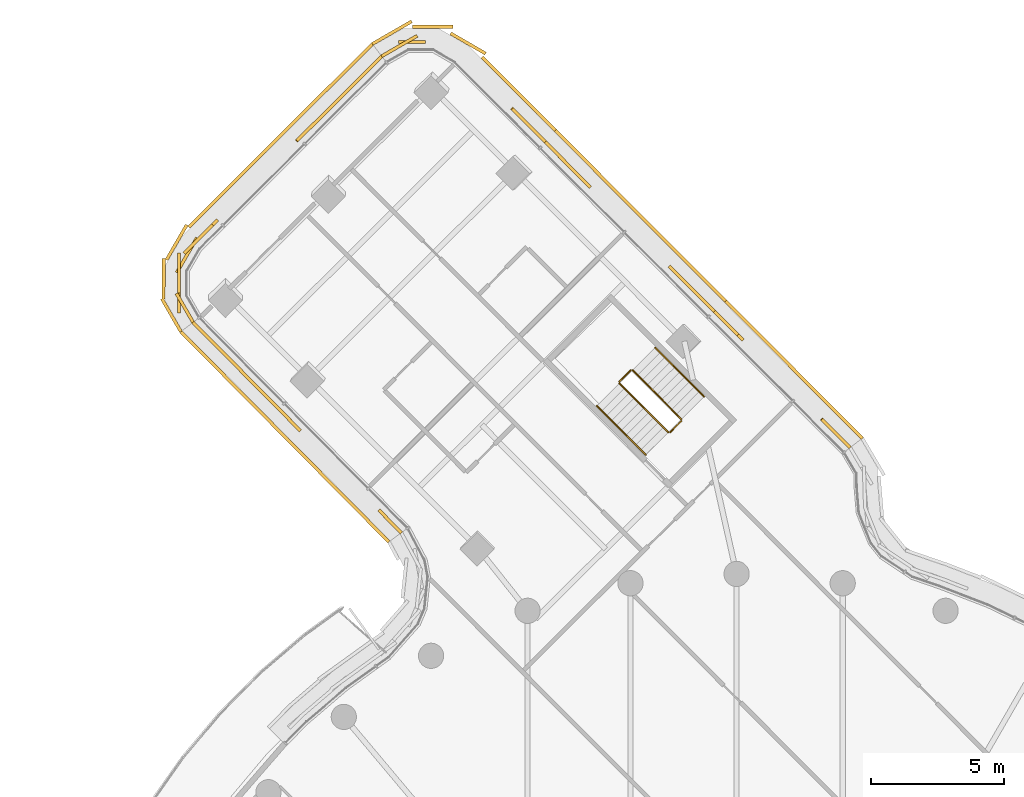
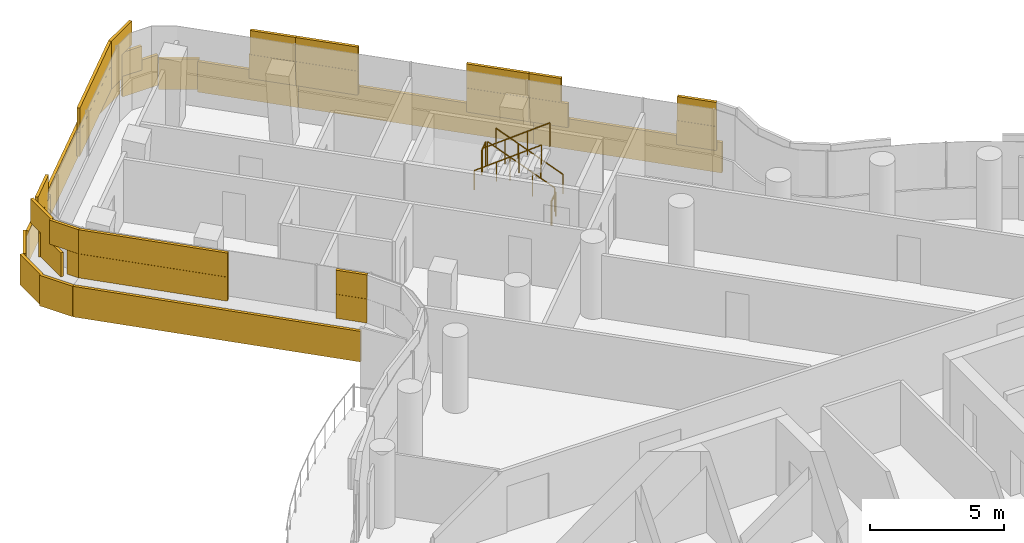
# One storey, part 29 of 31: 6 railings, 5 coverings.
"""IFC4 building model written with IfcOpenShell, lengths in metres."""

from ifc_helpers import new_model, si_unit, direction, frame, origin, origin_2d, place, context, subcontext, project, spatial, rectangle, circle, extrude, material, layer, layer_set, type_object, element, save


model = new_model("IFC4")

# Units and contexts
model_context = context("Model", 3, precision=1e-05, world=origin(), true_north=direction((0.0, 1.0)))
body_context = subcontext(model_context, "Body", "Model", "MODEL_VIEW")
ifc_project = project(units=[si_unit("LENGTHUNIT", "METRE"), si_unit("AREAUNIT", "SQUARE_METRE"), si_unit("VOLUMEUNIT", "CUBIC_METRE"), si_unit("PLANEANGLEUNIT", "RADIAN"), si_unit("MASSUNIT", "GRAM", prefix="KILO")], contexts=[model_context])

# Site, building, storey
site_placement = place(None, origin())
site = spatial("IfcSite", under=ifc_project, at=site_placement, CompositionType="ELEMENT")
building_placement = place(site_placement, origin())
building = spatial("IfcBuilding", under=site, at=building_placement, Name="Tamarind Cross Interchange Tower", CompositionType="ELEMENT")
storey_placement = place(building_placement, frame((0.0, 0.0, 196.89990234375)))
storey = spatial("IfcBuildingStorey", under=building, at=storey_placement, Name="L49", CompositionType="ELEMENT", Elevation=196.89990234375)

# Railings
ifc_material_1 = material(Name="Stair guard")
railing_type_1 = type_object("IfcRailingType", Name="Stair guard", PredefinedType="GUARDRAIL", material=ifc_material_1)
railing_1_placement = place(storey_placement, frame((-2.0771484375, 28.826171875, 0.163818359375)))
element("IfcRailing", 1, at=railing_1_placement, inside=storey, type_object=railing_type_1, Name="L49 ST4 stair guard 1", PredefinedType="GUARDRAIL", context=body_context, shape_type="SweptSolid", body=[
    extrude(circle(Radius=0.02392578125, at=origin_2d()), frame((0.0, 0.0, 1.076171875), z_axis=(-0.59770750568, 0.599217470128, 0.532620090822), x_axis=(-0.707998258763, -0.70621417827, 0.0)), (0.0, 0.0, 1.0), 3.072021484375),
    extrude(circle(Radius=0.02099609375, at=origin_2d()), origin(), (0.0, 0.0, 1.0), 1.052001953125),
    extrude(circle(Radius=0.02099609375, at=origin_2d()), frame((-0.612060546875, 0.613525390625, 0.54541015625)), (0.0, 0.0, 1.0), 1.052001953125),
    extrude(circle(Radius=0.02099609375, at=origin_2d()), frame((-1.22412109375, 1.227294921875, 1.0908203125)), (0.0, 0.0, 1.0), 1.052001953125),
    extrude(circle(Radius=0.02099609375, at=origin_2d()), frame((-1.836181640625, 1.8408203125, 1.63623046875)), (0.0, 0.0, 1.0), 1.052001953125),
])
railing_2_placement = place(storey_placement, frame((-3.984130859375, 30.667236328125, 1.800048828125)))
element("IfcRailing", 2, at=railing_2_placement, inside=storey, type_object=railing_type_1, Name="L49 ST4 stair guard 2", PredefinedType="GUARDRAIL", context=body_context, shape_type="SweptSolid", body=[
    extrude(circle(Radius=0.02392578125, at=origin_2d()), frame((0.0, 0.0, 1.076171875), z_axis=(-0.70792001417, -0.706292611839, 0.0), x_axis=(0.706292611839, -0.70792001417, 0.0)), (0.0, 0.0, 1.0), 0.60009765625),
    extrude(circle(Radius=0.02099609375, at=origin_2d()), origin(), (0.0, 0.0, 1.0), 1.052001953125),
    extrude(circle(Radius=0.02099609375, at=origin_2d()), frame((-0.4248046875, -0.423828125, 0.0)), (0.0, 0.0, 1.0), 1.052001953125),
])
railing_3_placement = place(storey_placement, frame((-4.408935546875, 30.1728515625, 1.963623046875)))
element("IfcRailing", 3, at=railing_3_placement, inside=storey, type_object=railing_type_1, Name="L49 ST4 stair guard 3", PredefinedType="GUARDRAIL", context=body_context, shape_type="SweptSolid", body=[
    extrude(circle(Radius=0.02392578125, at=origin_2d()), frame((0.0, 0.0, 1.076171875), z_axis=(0.597682205466, -0.599192105999, 0.532677014126), x_axis=(0.707998258763, 0.70621417827, 0.0)), (0.0, 0.0, 1.0), 3.072265625),
    extrude(circle(Radius=0.02099609375, at=origin_2d()), origin(), (0.0, 0.0, 1.0), 1.052001953125),
    extrude(circle(Radius=0.02099609375, at=origin_2d()), frame((0.612060546875, -0.613525390625, 0.54541015625)), (0.0, 0.0, 1.0), 1.052001953125),
    extrude(circle(Radius=0.02099609375, at=origin_2d()), frame((1.22412109375, -1.227294921875, 1.091064453125)), (0.0, 0.0, 1.0), 1.052001953125),
    extrude(circle(Radius=0.02099609375, at=origin_2d()), frame((1.836181640625, -1.8408203125, 1.636474609375)), (0.0, 0.0, 1.0), 1.052001953125),
])
railing_4_placement = place(storey_placement, frame((-2.077392578125, 28.755615234375, 0.0)))
element("IfcRailing", 4, at=railing_4_placement, inside=storey, type_object=railing_type_1, Name="L49 ST4 stair guard 4", PredefinedType="GUARDRAIL", context=body_context, shape_type="SweptSolid", body=[
    extrude(circle(Radius=0.02392578125, at=origin_2d()), frame((0.0, 0.0, 1.076171875), z_axis=(-0.70792001417, -0.706292611839, 0.0), x_axis=(0.706292611839, -0.70792001417, 0.0)), (0.0, 0.0, 1.0), 0.60009765625),
    extrude(circle(Radius=0.02099609375, at=origin_2d()), origin(), (0.0, 0.0, 1.0), 1.052001953125),
    extrude(circle(Radius=0.02099609375, at=origin_2d()), frame((-0.4248046875, -0.423828125, 0.0)), (0.0, 0.0, 1.0), 1.052001953125),
])
ifc_material_2 = material(Name="Stair handrail")
railing_type_2 = type_object("IfcRailingType", Name="Stair handrail", PredefinedType="HANDRAIL", material=ifc_material_2)
railing_5_placement = place(storey_placement, frame((-1.2275390625, 29.673583984375, 0.163818359375)))
element("IfcRailing", 5, at=railing_5_placement, inside=storey, type_object=railing_type_2, Name="L49 ST4 stair handrail 1", PredefinedType="HANDRAIL", context=body_context, shape_type="SweptSolid", body=[
    extrude(circle(Radius=0.02392578125, at=origin_2d()), frame((0.0, 0.0, 0.8759765625), z_axis=(-0.597679042458, 0.599268403028, 0.532594727104), x_axis=(-0.708045085123, -0.706167230501, 0.0)), (0.0, 0.0, 1.0), 3.072265625),
    extrude(circle(Radius=0.02099609375, at=origin_2d()), origin(), (0.0, 0.0, 1.0), 0.851806640625),
    extrude(circle(Radius=0.02099609375, at=origin_2d()), frame((-0.612060546875, 0.61376953125, 0.54541015625)), (0.0, 0.0, 1.0), 0.851806640625),
    extrude(circle(Radius=0.02099609375, at=origin_2d()), frame((-1.22412109375, 1.227294921875, 1.0908203125)), (0.0, 0.0, 1.0), 0.851806640625),
    extrude(circle(Radius=0.02099609375, at=origin_2d()), frame((-1.836181640625, 1.841064453125, 1.63623046875)), (0.0, 0.0, 1.0), 0.851806640625),
])
railing_6_placement = place(storey_placement, frame((-5.258544921875, 29.3251953125, 1.963623046875)))
element("IfcRailing", 6, at=railing_6_placement, inside=storey, type_object=railing_type_2, Name="L49 ST4 stair handrail 2", PredefinedType="HANDRAIL", context=body_context, shape_type="SweptSolid", body=[
    extrude(circle(Radius=0.02392578125, at=origin_2d()), frame((0.0, 0.0, 0.8759765625), z_axis=(0.597682205466, -0.599192105999, 0.532677014126), x_axis=(0.707998258763, 0.70621417827, 0.0)), (0.0, 0.0, 1.0), 3.072265625),
    extrude(circle(Radius=0.02099609375, at=origin_2d()), origin(), (0.0, 0.0, 1.0), 0.851806640625),
    extrude(circle(Radius=0.02099609375, at=origin_2d()), frame((0.612060546875, -0.613525390625, 0.54541015625)), (0.0, 0.0, 1.0), 0.851806640625),
    extrude(circle(Radius=0.02099609375, at=origin_2d()), frame((1.22412109375, -1.227294921875, 1.091064453125)), (0.0, 0.0, 1.0), 0.851806640625),
    extrude(circle(Radius=0.02099609375, at=origin_2d()), frame((1.836181640625, -1.8408203125, 1.636474609375)), (0.0, 0.0, 1.0), 0.851806640625),
])

# Coverings
ifc_material_3 = material(Name="Terracotta", Category="masonry")
ifc_layer = layer(ifc_material_3, 0.1201171875)
ifc_layer_set = layer_set([ifc_layer], Name="Terracotta")
covering_type = type_object("IfcCoveringType", Name="Terracotta baguette screen unit", PredefinedType="MOLDING", material=ifc_layer_set)
covering_1_placement = place(storey_placement, origin())
element("IfcCovering", 7, at=covering_1_placement, inside=storey, type_object=covering_type, Name="SCR-L49-03-00", PredefinedType="MOLDING", context=body_context, shape_type="SweptSolid", body=[
    extrude(rectangle(XDim=0.760009765625, YDim=0.1201171875, at=origin_2d()), frame((4.009033203125, 28.020263671875, 1.404296875), z_axis=(0.0, 0.0, 1.0), x_axis=(-0.706197875304, 0.708014520272, 0.0)), (0.0, 0.0, 1.0), 1.092041015625),
    extrude(rectangle(XDim=0.7802734375, YDim=0.1201171875, at=origin_2d()), frame((3.472412109375, 28.558349609375, 1.404296875), z_axis=(0.0, 0.0, 1.0), x_axis=(-0.706197875304, 0.708014520272, 0.0)), (0.0, 0.0, 1.0), 1.092041015625),
    extrude(rectangle(XDim=1.039794921875, YDim=0.1201171875, at=origin_2d()), frame((-0.129150390625, 32.169189453125, 1.404296875), z_axis=(0.0, 0.0, 1.0), x_axis=(-0.706197875304, 0.708014520272, 0.0)), (0.0, 0.0, 1.0), 1.092041015625),
    extrude(rectangle(XDim=0.50048828125, YDim=0.1201171875, at=origin_2d()), frame((-0.666015625, 32.70751953125, 1.404296875), z_axis=(0.0, 0.0, 1.0), x_axis=(-0.706197875304, 0.708014520272, 0.0)), (0.0, 0.0, 1.0), 1.092041015625),
    extrude(rectangle(XDim=1.510009765625, YDim=0.1201171875, at=origin_2d()), frame((3.744384765625, 28.28564453125, 2.50390625), z_axis=(0.0, 0.0, 1.0), x_axis=(-0.706197875304, 0.708014520272, 0.0)), (0.0, 0.0, 1.0), 1.092041015625),
    extrude(rectangle(XDim=1.25048828125, YDim=0.1201171875, at=origin_2d()), frame((-0.401123046875, 32.44189453125, 2.50390625), z_axis=(0.0, 0.0, 1.0), x_axis=(-0.706197875304, 0.708014520272, 0.0)), (0.0, 0.0, 1.0), 1.092041015625),
    extrude(rectangle(XDim=0.760009765625, YDim=0.1201171875, at=origin_2d()), frame((4.46337890625, 28.377685546875, 0.004150390625), z_axis=(0.0, 0.0, 1.0), x_axis=(-0.706197875304, 0.708014520272, 0.0)), (0.0, 0.0, 1.0), 1.39208984375),
    extrude(rectangle(XDim=1.52001953125, YDim=0.1201171875, at=origin_2d()), frame((3.67236328125, 29.170654296875, 0.004150390625), z_axis=(0.0, 0.0, 1.0), x_axis=(-0.706197875304, 0.708014520272, 0.0)), (0.0, 0.0, 1.0), 1.39208984375),
    extrude(rectangle(XDim=1.52001953125, YDim=0.1201171875, at=origin_2d()), frame((2.613037109375, 30.232666015625, 0.004150390625), z_axis=(0.0, 0.0, 1.0), x_axis=(-0.706197875304, 0.708014520272, 0.0)), (0.0, 0.0, 1.0), 1.39208984375),
    extrude(rectangle(XDim=1.52001953125, YDim=0.1201171875, at=origin_2d()), frame((1.5537109375, 31.294677734375, 0.004150390625), z_axis=(0.0, 0.0, 1.0), x_axis=(-0.706197875304, 0.708014520272, 0.0)), (0.0, 0.0, 1.0), 1.39208984375),
    extrude(rectangle(XDim=1.52001953125, YDim=0.1201171875, at=origin_2d()), frame((0.49462890625, 32.356689453125, 0.004150390625), z_axis=(0.0, 0.0, 1.0), x_axis=(-0.706197875304, 0.708014520272, 0.0)), (0.0, 0.0, 1.0), 1.39208984375),
    extrude(rectangle(XDim=0.552001953125, YDim=0.1201171875, at=origin_2d()), frame((-0.222900390625, 33.076171875, 0.004150390625), z_axis=(0.0, 0.0, 1.0), x_axis=(-0.706197875304, 0.708014520272, 0.0)), (0.0, 0.0, 1.0), 1.39208984375),
])
covering_2_placement = place(storey_placement, origin())
element("IfcCovering", 8, at=covering_2_placement, inside=storey, type_object=covering_type, Name="SCR-L49-03-01", PredefinedType="MOLDING", context=body_context, shape_type="SweptSolid", body=[
    extrude(rectangle(XDim=1.01953125, YDim=0.1201171875, at=origin_2d()), frame((-1.19580078125, 33.238525390625, 1.404296875), z_axis=(0.0, 0.0, 1.0), x_axis=(-0.706197875304, 0.708014520272, 0.0)), (0.0, 0.0, 1.0), 1.092041015625),
    extrude(rectangle(XDim=1.405517578125, YDim=0.1201171875, at=origin_2d()), frame((-2.044921875, 34.08984375, 1.404296875), z_axis=(0.0, 0.0, 1.0), x_axis=(-0.706197875304, 0.708014520272, 0.0)), (0.0, 0.0, 1.0), 1.092041015625),
    extrude(rectangle(XDim=0.41455078125, YDim=0.1201171875, at=origin_2d()), frame((-5.646484375, 37.70068359375, 1.404296875), z_axis=(0.0, 0.0, 1.0), x_axis=(-0.706197875304, 0.708014520272, 0.0)), (0.0, 0.0, 1.0), 1.092041015625),
    extrude(rectangle(XDim=1.52001953125, YDim=0.1201171875, at=origin_2d()), frame((-6.319091796875, 38.375, 1.404296875), z_axis=(0.0, 0.0, 1.0), x_axis=(-0.706197875304, 0.708014520272, 0.0)), (0.0, 0.0, 1.0), 1.092041015625),
    extrude(rectangle(XDim=0.510498046875, YDim=0.1201171875, at=origin_2d()), frame((-7.025390625, 39.083251953125, 1.404296875), z_axis=(0.0, 0.0, 1.0), x_axis=(-0.706197875304, 0.708014520272, 0.0)), (0.0, 0.0, 1.0), 1.092041015625),
    extrude(rectangle(XDim=0.26953125, YDim=0.1201171875, at=origin_2d()), frame((-0.930908203125, 32.972900390625, 2.50390625), z_axis=(0.0, 0.0, 1.0), x_axis=(-0.706197875304, 0.708014520272, 0.0)), (0.0, 0.0, 1.0), 1.092041015625),
    extrude(rectangle(XDim=1.52001953125, YDim=0.1201171875, at=origin_2d()), frame((-1.55224609375, 33.595947265625, 2.50390625), z_axis=(0.0, 0.0, 1.0), x_axis=(-0.706197875304, 0.708014520272, 0.0)), (0.0, 0.0, 1.0), 1.092041015625),
    extrude(rectangle(XDim=0.655517578125, YDim=0.1201171875, at=origin_2d()), frame((-2.309814453125, 34.35546875, 2.50390625), z_axis=(0.0, 0.0, 1.0), x_axis=(-0.706197875304, 0.708014520272, 0.0)), (0.0, 0.0, 1.0), 1.092041015625),
    extrude(rectangle(XDim=1.16455078125, YDim=0.1201171875, at=origin_2d()), frame((-5.911376953125, 37.96630859375, 2.50390625), z_axis=(0.0, 0.0, 1.0), x_axis=(-0.706197875304, 0.708014520272, 0.0)), (0.0, 0.0, 1.0), 1.092041015625),
    extrude(rectangle(XDim=1.260498046875, YDim=0.1201171875, at=origin_2d()), frame((-6.760498046875, 38.817626953125, 2.50390625), z_axis=(0.0, 0.0, 1.0), x_axis=(-0.706197875304, 0.708014520272, 0.0)), (0.0, 0.0, 1.0), 1.092041015625),
    extrude(rectangle(XDim=0.968017578125, YDim=0.1201171875, at=origin_2d()), frame((-0.759765625, 33.6142578125, 0.004150390625), z_axis=(0.0, 0.0, 1.0), x_axis=(-0.706197875304, 0.708014520272, 0.0)), (0.0, 0.0, 1.0), 1.39208984375),
    extrude(rectangle(XDim=1.52001953125, YDim=0.1201171875, at=origin_2d()), frame((-1.6240234375, 34.480712890625, 0.004150390625), z_axis=(0.0, 0.0, 1.0), x_axis=(-0.706197875304, 0.708014520272, 0.0)), (0.0, 0.0, 1.0), 1.39208984375),
    extrude(rectangle(XDim=1.52001953125, YDim=0.1201171875, at=origin_2d()), frame((-2.683349609375, 35.542724609375, 0.004150390625), z_axis=(0.0, 0.0, 1.0), x_axis=(-0.706197875304, 0.708014520272, 0.0)), (0.0, 0.0, 1.0), 1.39208984375),
    extrude(rectangle(XDim=1.52001953125, YDim=0.1201171875, at=origin_2d()), frame((-3.74267578125, 36.604736328125, 0.004150390625), z_axis=(0.0, 0.0, 1.0), x_axis=(-0.706197875304, 0.708014520272, 0.0)), (0.0, 0.0, 1.0), 1.39208984375),
    extrude(rectangle(XDim=1.52001953125, YDim=0.1201171875, at=origin_2d()), frame((-4.802001953125, 37.666748046875, 0.004150390625), z_axis=(0.0, 0.0, 1.0), x_axis=(-0.706197875304, 0.708014520272, 0.0)), (0.0, 0.0, 1.0), 1.39208984375),
    extrude(rectangle(XDim=1.52001953125, YDim=0.1201171875, at=origin_2d()), frame((-5.861328125, 38.728759765625, 0.004150390625), z_axis=(0.0, 0.0, 1.0), x_axis=(-0.706197875304, 0.708014520272, 0.0)), (0.0, 0.0, 1.0), 1.39208984375),
    extrude(rectangle(XDim=0.62646484375, YDim=0.1201171875, at=origin_2d()), frame((-6.60498046875, 39.474609375, 0.004150390625), z_axis=(0.0, 0.0, 1.0), x_axis=(-0.706197875304, 0.708014520272, 0.0)), (0.0, 0.0, 1.0), 1.39208984375),
])
covering_3_placement = place(storey_placement, origin())
element("IfcCovering", 9, at=covering_3_placement, inside=storey, type_object=covering_type, Name="SCR-L49-03-02", PredefinedType="MOLDING", context=body_context, shape_type="SweptSolid", body=[
    extrude(rectangle(XDim=1.009521484375, YDim=0.1201171875, at=origin_2d()), frame((-7.554931640625, 39.6142578125, 1.404296875), z_axis=(0.0, 0.0, 1.0), x_axis=(-0.706197875304, 0.708014520272, 0.0)), (0.0, 0.0, 1.0), 1.092041015625),
    extrude(rectangle(XDim=0.800537109375, YDim=0.1201171875, at=origin_2d()), frame((-8.18701171875, 40.247802734375, 1.404296875), z_axis=(0.0, 0.0, 1.0), x_axis=(-0.706197875304, 0.708014520272, 0.0)), (0.0, 0.0, 1.0), 1.092041015625),
    extrude(rectangle(XDim=1.01953125, YDim=0.1201171875, at=origin_2d()), frame((-12.214599609375, 43.0224609375, 1.404296875), z_axis=(0.0, 0.0, 1.0), x_axis=(-0.99999917495, 0.001284561976, 0.0)), (0.0, 0.0, 1.0), 1.092041015625),
    extrude(rectangle(XDim=0.79052734375, YDim=0.1201171875, at=origin_2d()), frame((-13.018798828125, 42.68310546875, 1.404296875), z_axis=(0.0, 0.0, 1.0), x_axis=(-0.866666970258, -0.498887124171, 0.0)), (0.0, 0.0, 1.0), 1.092041015625),
    extrude(rectangle(XDim=0.259521484375, YDim=0.1201171875, at=origin_2d()), frame((-7.290283203125, 39.3486328125, 2.50390625), z_axis=(0.0, 0.0, 1.0), x_axis=(-0.706197875304, 0.708014520272, 0.0)), (0.0, 0.0, 1.0), 1.092041015625),
    extrude(rectangle(XDim=1.52001953125, YDim=0.1201171875, at=origin_2d()), frame((-7.907958984375, 39.968017578125, 2.50390625), z_axis=(0.0, 0.0, 1.0), x_axis=(-0.706197875304, 0.708014520272, 0.0)), (0.0, 0.0, 1.0), 1.092041015625),
    extrude(rectangle(XDim=1.52001953125, YDim=0.1201171875, at=origin_2d()), frame((-12.6806640625, 42.877685546875, 2.50390625), z_axis=(0.0, 0.0, 1.0), x_axis=(-0.866666970258, -0.498887124171, 0.0)), (0.0, 0.0, 1.0), 1.092041015625),
    extrude(rectangle(XDim=0.04052734375, YDim=0.1201171875, at=origin_2d()), frame((-13.34375, 42.495849609375, 2.50390625), z_axis=(0.0, 0.0, 1.0), x_axis=(-0.866666970258, -0.498887124171, 0.0)), (0.0, 0.0, 1.0), 1.092041015625),
    extrude(rectangle(XDim=0.8935546875, YDim=0.1201171875, at=origin_2d()), frame((-7.141845703125, 40.0126953125, 0.004150390625), z_axis=(0.0, 0.0, 1.0), x_axis=(-0.706197875304, 0.708014520272, 0.0)), (0.0, 0.0, 1.0), 1.39208984375),
    extrude(rectangle(XDim=1.52001953125, YDim=0.1201171875, at=origin_2d()), frame((-7.979736328125, 40.852783203125, 0.004150390625), z_axis=(0.0, 0.0, 1.0), x_axis=(-0.706197875304, 0.708014520272, 0.0)), (0.0, 0.0, 1.0), 1.39208984375),
    extrude(rectangle(XDim=1.52001953125, YDim=0.1201171875, at=origin_2d()), frame((-9.0390625, 41.914794921875, 0.004150390625), z_axis=(0.0, 0.0, 1.0), x_axis=(-0.706197875304, 0.708014520272, 0.0)), (0.0, 0.0, 1.0), 1.39208984375),
    extrude(rectangle(XDim=1.52001953125, YDim=0.1201171875, at=origin_2d()), frame((-10.10595703125, 42.967041015625, 0.004150390625), z_axis=(0.0, 0.0, 1.0), x_axis=(-0.865382408282, 0.501112050779, 0.0)), (0.0, 0.0, 1.0), 1.39208984375),
    extrude(rectangle(XDim=1.52001953125, YDim=0.1201171875, at=origin_2d()), frame((-11.437255859375, 43.595458984375, 0.004150390625), z_axis=(0.0, 0.0, 1.0), x_axis=(-0.99999917495, 0.001284561976, 0.0)), (0.0, 0.0, 1.0), 1.39208984375),
    extrude(rectangle(XDim=1.52001953125, YDim=0.1201171875, at=origin_2d()), frame((-12.889892578125, 43.419677734375, 0.004150390625), z_axis=(0.0, 0.0, 1.0), x_axis=(-0.866666970258, -0.498887124171, 0.0)), (0.0, 0.0, 1.0), 1.39208984375),
    extrude(rectangle(XDim=0.205078125, YDim=0.1201171875, at=origin_2d()), frame((-13.6201171875, 42.999267578125, 0.004150390625), z_axis=(0.0, 0.0, 1.0), x_axis=(-0.866666970258, -0.498887124171, 0.0)), (0.0, 0.0, 1.0), 1.39208984375),
])
covering_4_placement = place(storey_placement, origin())
element("IfcCovering", 10, at=covering_4_placement, inside=storey, type_object=covering_type, Name="SCR-L49-04-00", PredefinedType="MOLDING", context=body_context, shape_type="SweptSolid", body=[
    extrude(rectangle(XDim=0.760009765625, YDim=0.1201171875, at=origin_2d()), frame((-13.62255859375, 42.2236328125, 1.404296875), z_axis=(0.0, 0.0, 1.0), x_axis=(-0.708014520272, -0.706197875304, 0.0)), (0.0, 0.0, 1.0), 1.092041015625),
    extrude(rectangle(XDim=1.52001953125, YDim=0.1201171875, at=origin_2d()), frame((-14.4189453125, 41.428955078125, 1.404296875), z_axis=(0.0, 0.0, 1.0), x_axis=(-0.708014520272, -0.706197875304, 0.0)), (0.0, 0.0, 1.0), 1.092041015625),
    extrude(rectangle(XDim=1.52001953125, YDim=0.1201171875, at=origin_2d()), frame((-15.48095703125, 40.36962890625, 1.404296875), z_axis=(0.0, 0.0, 1.0), x_axis=(-0.708014520272, -0.706197875304, 0.0)), (0.0, 0.0, 1.0), 1.092041015625),
    extrude(rectangle(XDim=0.78466796875, YDim=0.1201171875, at=origin_2d()), frame((-16.286376953125, 39.566650390625, 1.404296875), z_axis=(0.0, 0.0, 1.0), x_axis=(-0.708014520272, -0.706197875304, 0.0)), (0.0, 0.0, 1.0), 1.092041015625),
    extrude(rectangle(XDim=1.03515625, YDim=0.1201171875, at=origin_2d()), frame((-19.897216796875, 35.96484375, 1.404296875), z_axis=(0.0, 0.0, 1.0), x_axis=(-0.708014520272, -0.706197875304, 0.0)), (0.0, 0.0, 1.0), 1.092041015625),
    extrude(rectangle(XDim=1.52001953125, YDim=0.1201171875, at=origin_2d()), frame((-20.692626953125, 34.99755859375, 1.404296875), z_axis=(0.0, 0.0, 1.0), x_axis=(-0.501112050779, -0.865382408282, 0.0)), (0.0, 0.0, 1.0), 1.092041015625),
    extrude(rectangle(XDim=1.52001953125, YDim=0.1201171875, at=origin_2d()), frame((-20.991943359375, 33.57763671875, 1.404296875), z_axis=(0.0, 0.0, 1.0), x_axis=(-0.001284561976, -0.99999917495, 0.0)), (0.0, 0.0, 1.0), 1.092041015625),
    extrude(rectangle(XDim=0.509521484375, YDim=0.1201171875, at=origin_2d()), frame((-20.58251953125, 32.687255859375, 1.404296875), z_axis=(0.0, 0.0, 1.0), x_axis=(0.498887124171, -0.866666970258, 0.0)), (0.0, 0.0, 1.0), 1.092041015625),
    extrude(rectangle(XDim=1.510009765625, YDim=0.1201171875, at=origin_2d()), frame((-13.887939453125, 41.958740234375, 2.50390625), z_axis=(0.0, 0.0, 1.0), x_axis=(-0.708014520272, -0.706197875304, 0.0)), (0.0, 0.0, 1.0), 1.092041015625),
    extrude(rectangle(XDim=1.52001953125, YDim=0.1201171875, at=origin_2d()), frame((-14.949951171875, 40.8994140625, 2.50390625), z_axis=(0.0, 0.0, 1.0), x_axis=(-0.708014520272, -0.706197875304, 0.0)), (0.0, 0.0, 1.0), 1.092041015625),
    extrude(rectangle(XDim=1.52001953125, YDim=0.1201171875, at=origin_2d()), frame((-16.01220703125, 39.840087890625, 2.50390625), z_axis=(0.0, 0.0, 1.0), x_axis=(-0.708014520272, -0.706197875304, 0.0)), (0.0, 0.0, 1.0), 1.092041015625),
    extrude(rectangle(XDim=1.52001953125, YDim=0.1201171875, at=origin_2d()), frame((-20.26025390625, 35.60302734375, 2.50390625), z_axis=(0.0, 0.0, 1.0), x_axis=(-0.708014520272, -0.706197875304, 0.0)), (0.0, 0.0, 1.0), 1.092041015625),
    extrude(rectangle(XDim=1.52001953125, YDim=0.1201171875, at=origin_2d()), frame((-20.990966796875, 34.32763671875, 2.50390625), z_axis=(0.0, 0.0, 1.0), x_axis=(-0.001284561976, -0.99999917495, 0.0)), (0.0, 0.0, 1.0), 1.092041015625),
    extrude(rectangle(XDim=1.259521484375, YDim=0.1201171875, at=origin_2d()), frame((-20.76953125, 33.01220703125, 2.50390625), z_axis=(0.0, 0.0, 1.0), x_axis=(0.498887124171, -0.866666970258, 0.0)), (0.0, 0.0, 1.0), 1.092041015625),
    extrude(rectangle(XDim=0.760009765625, YDim=0.1201171875, at=origin_2d()), frame((-13.97802734375, 42.6796875, 0.004150390625), z_axis=(0.0, 0.0, 1.0), x_axis=(-0.708014520272, -0.706197875304, 0.0)), (0.0, 0.0, 1.0), 1.39208984375),
    extrude(rectangle(XDim=1.52001953125, YDim=0.1201171875, at=origin_2d()), frame((-14.77099609375, 41.888916015625, 0.004150390625), z_axis=(0.0, 0.0, 1.0), x_axis=(-0.708014520272, -0.706197875304, 0.0)), (0.0, 0.0, 1.0), 1.39208984375),
    extrude(rectangle(XDim=1.52001953125, YDim=0.1201171875, at=origin_2d()), frame((-15.8330078125, 40.82958984375, 0.004150390625), z_axis=(0.0, 0.0, 1.0), x_axis=(-0.708014520272, -0.706197875304, 0.0)), (0.0, 0.0, 1.0), 1.39208984375),
    extrude(rectangle(XDim=1.52001953125, YDim=0.1201171875, at=origin_2d()), frame((-16.89501953125, 39.770263671875, 0.004150390625), z_axis=(0.0, 0.0, 1.0), x_axis=(-0.708014520272, -0.706197875304, 0.0)), (0.0, 0.0, 1.0), 1.39208984375),
    extrude(rectangle(XDim=1.52001953125, YDim=0.1201171875, at=origin_2d()), frame((-17.95703125, 38.7109375, 0.004150390625), z_axis=(0.0, 0.0, 1.0), x_axis=(-0.708014520272, -0.706197875304, 0.0)), (0.0, 0.0, 1.0), 1.39208984375),
    extrude(rectangle(XDim=1.52001953125, YDim=0.1201171875, at=origin_2d()), frame((-19.01904296875, 37.651611328125, 0.004150390625), z_axis=(0.0, 0.0, 1.0), x_axis=(-0.708014520272, -0.706197875304, 0.0)), (0.0, 0.0, 1.0), 1.39208984375),
    extrude(rectangle(XDim=1.52001953125, YDim=0.1201171875, at=origin_2d()), frame((-20.0810546875, 36.59228515625, 0.004150390625), z_axis=(0.0, 0.0, 1.0), x_axis=(-0.708014520272, -0.706197875304, 0.0)), (0.0, 0.0, 1.0), 1.39208984375),
    extrude(rectangle(XDim=1.52001953125, YDim=0.1201171875, at=origin_2d()), frame((-21.07568359375, 35.481201171875, 0.004150390625), z_axis=(0.0, 0.0, 1.0), x_axis=(-0.501112050779, -0.865382408282, 0.0)), (0.0, 0.0, 1.0), 1.39208984375),
    extrude(rectangle(XDim=1.52001953125, YDim=0.1201171875, at=origin_2d()), frame((-21.565185546875, 34.112548828125, 0.004150390625), z_axis=(0.0, 0.0, 1.0), x_axis=(-0.001284561976, -0.99999917495, 0.0)), (0.0, 0.0, 1.0), 1.39208984375),
    extrude(rectangle(XDim=1.42578125, YDim=0.1201171875, at=origin_2d()), frame((-21.27392578125, 32.73779296875, 0.004150390625), z_axis=(0.0, 0.0, 1.0), x_axis=(0.498887124171, -0.866666970258, 0.0)), (0.0, 0.0, 1.0), 1.39208984375),
])
covering_5_placement = place(storey_placement, origin())
element("IfcCovering", 11, at=covering_5_placement, inside=storey, type_object=covering_type, Name="SCR-L49-05-00", PredefinedType="MOLDING", context=body_context, shape_type="SweptSolid", body=[
    extrude(rectangle(XDim=0.760009765625, YDim=0.1201171875, at=origin_2d()), frame((-20.194091796875, 32.204345703125, 1.404296875), z_axis=(0.0, 0.0, 1.0), x_axis=(0.703443968525, -0.710750718006, 0.0)), (0.0, 0.0, 1.0), 1.092041015625),
    extrude(rectangle(XDim=1.52001953125, YDim=0.1201171875, at=origin_2d()), frame((-19.402587890625, 31.40478515625, 1.404296875), z_axis=(0.0, 0.0, 1.0), x_axis=(0.703443968525, -0.710750718006, 0.0)), (0.0, 0.0, 1.0), 1.092041015625),
    extrude(rectangle(XDim=1.52001953125, YDim=0.1201171875, at=origin_2d()), frame((-18.347412109375, 30.338623046875, 1.404296875), z_axis=(0.0, 0.0, 1.0), x_axis=(0.703443968525, -0.710750718006, 0.0)), (0.0, 0.0, 1.0), 1.092041015625),
    extrude(rectangle(XDim=1.52001953125, YDim=0.1201171875, at=origin_2d()), frame((-17.292236328125, 29.2724609375, 1.404296875), z_axis=(0.0, 0.0, 1.0), x_axis=(0.703443968525, -0.710750718006, 0.0)), (0.0, 0.0, 1.0), 1.092041015625),
    extrude(rectangle(XDim=0.5048828125, YDim=0.1201171875, at=origin_2d()), frame((-16.590576171875, 28.5634765625, 1.404296875), z_axis=(0.0, 0.0, 1.0), x_axis=(0.703443968525, -0.710750718006, 0.0)), (0.0, 0.0, 1.0), 1.092041015625),
    extrude(rectangle(XDim=1.19677734375, YDim=0.1201171875, at=origin_2d()), frame((-13.041259765625, 24.97705078125, 1.404296875), z_axis=(0.0, 0.0, 1.0), x_axis=(0.703443968525, -0.710750718006, 0.0)), (0.0, 0.0, 1.0), 1.092041015625),
    extrude(rectangle(XDim=1.510009765625, YDim=0.1201171875, at=origin_2d()), frame((-19.93017578125, 31.937744140625, 2.50390625), z_axis=(0.0, 0.0, 1.0), x_axis=(0.703443968525, -0.710750718006, 0.0)), (0.0, 0.0, 1.0), 1.092041015625),
    extrude(rectangle(XDim=1.52001953125, YDim=0.1201171875, at=origin_2d()), frame((-18.875, 30.87158203125, 2.50390625), z_axis=(0.0, 0.0, 1.0), x_axis=(0.703443968525, -0.710750718006, 0.0)), (0.0, 0.0, 1.0), 1.092041015625),
    extrude(rectangle(XDim=1.52001953125, YDim=0.1201171875, at=origin_2d()), frame((-17.81982421875, 29.805419921875, 2.50390625), z_axis=(0.0, 0.0, 1.0), x_axis=(0.703443968525, -0.710750718006, 0.0)), (0.0, 0.0, 1.0), 1.092041015625),
    extrude(rectangle(XDim=1.2548828125, YDim=0.1201171875, at=origin_2d()), frame((-16.8544921875, 28.830078125, 2.50390625), z_axis=(0.0, 0.0, 1.0), x_axis=(0.703443968525, -0.710750718006, 0.0)), (0.0, 0.0, 1.0), 1.092041015625),
    extrude(rectangle(XDim=0.565185546875, YDim=0.1201171875, at=origin_2d()), frame((-13.266845703125, 25.205322265625, 2.50390625), z_axis=(0.0, 0.0, 1.0), x_axis=(0.703443968525, -0.710750718006, 0.0)), (0.0, 0.0, 1.0), 1.092041015625),
    extrude(rectangle(XDim=0.65185546875, YDim=0.1201171875, at=origin_2d()), frame((-12.845947265625, 24.77978515625, 2.50390625), z_axis=(0.0, 0.0, 1.0), x_axis=(0.703443968525, -0.710750718006, 0.0)), (0.0, 0.0, 1.0), 1.092041015625),
    extrude(rectangle(XDim=0.760009765625, YDim=0.1201171875, at=origin_2d()), frame((-20.65087890625, 31.849853515625, 0.004150390625), z_axis=(0.0, 0.0, 1.0), x_axis=(0.703443968525, -0.710750718006, 0.0)), (0.0, 0.0, 1.0), 1.39208984375),
    extrude(rectangle(XDim=1.52001953125, YDim=0.1201171875, at=origin_2d()), frame((-19.863037109375, 31.053955078125, 0.004150390625), z_axis=(0.0, 0.0, 1.0), x_axis=(0.703443968525, -0.710750718006, 0.0)), (0.0, 0.0, 1.0), 1.39208984375),
    extrude(rectangle(XDim=1.52001953125, YDim=0.1201171875, at=origin_2d()), frame((-18.807861328125, 29.98779296875, 0.004150390625), z_axis=(0.0, 0.0, 1.0), x_axis=(0.703443968525, -0.710750718006, 0.0)), (0.0, 0.0, 1.0), 1.39208984375),
    extrude(rectangle(XDim=1.52001953125, YDim=0.1201171875, at=origin_2d()), frame((-17.752685546875, 28.921630859375, 0.004150390625), z_axis=(0.0, 0.0, 1.0), x_axis=(0.703443968525, -0.710750718006, 0.0)), (0.0, 0.0, 1.0), 1.39208984375),
    extrude(rectangle(XDim=1.52001953125, YDim=0.1201171875, at=origin_2d()), frame((-16.697509765625, 27.85546875, 0.004150390625), z_axis=(0.0, 0.0, 1.0), x_axis=(0.703443968525, -0.710750718006, 0.0)), (0.0, 0.0, 1.0), 1.39208984375),
    extrude(rectangle(XDim=1.52001953125, YDim=0.1201171875, at=origin_2d()), frame((-15.642333984375, 26.789306640625, 0.004150390625), z_axis=(0.0, 0.0, 1.0), x_axis=(0.703443968525, -0.710750718006, 0.0)), (0.0, 0.0, 1.0), 1.39208984375),
    extrude(rectangle(XDim=1.52001953125, YDim=0.1201171875, at=origin_2d()), frame((-14.587158203125, 25.72314453125, 0.004150390625), z_axis=(0.0, 0.0, 1.0), x_axis=(0.703443968525, -0.710750718006, 0.0)), (0.0, 0.0, 1.0), 1.39208984375),
    extrude(rectangle(XDim=1.3916015625, YDim=0.1201171875, at=origin_2d()), frame((-13.5771484375, 24.70263671875, 0.004150390625), z_axis=(0.0, 0.0, 1.0), x_axis=(0.703443968525, -0.710750718006, 0.0)), (0.0, 0.0, 1.0), 1.39208984375),
])

save(model, "model.ifc")
